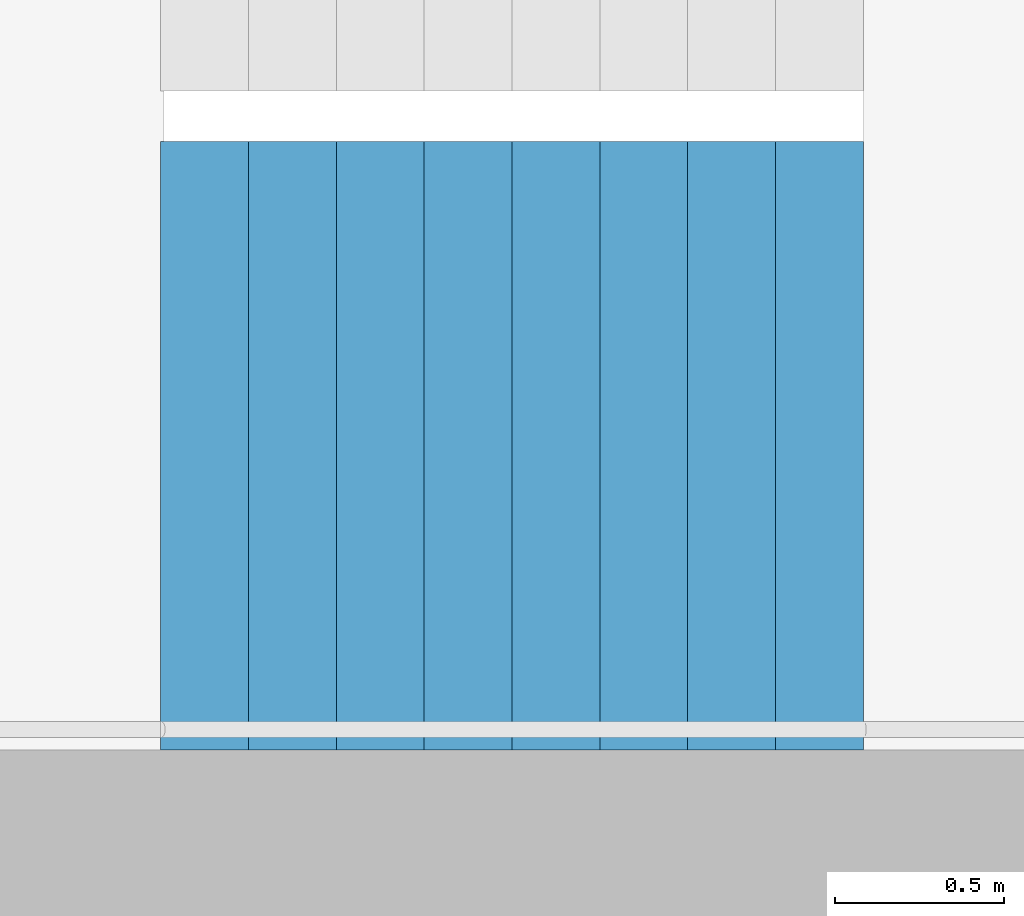
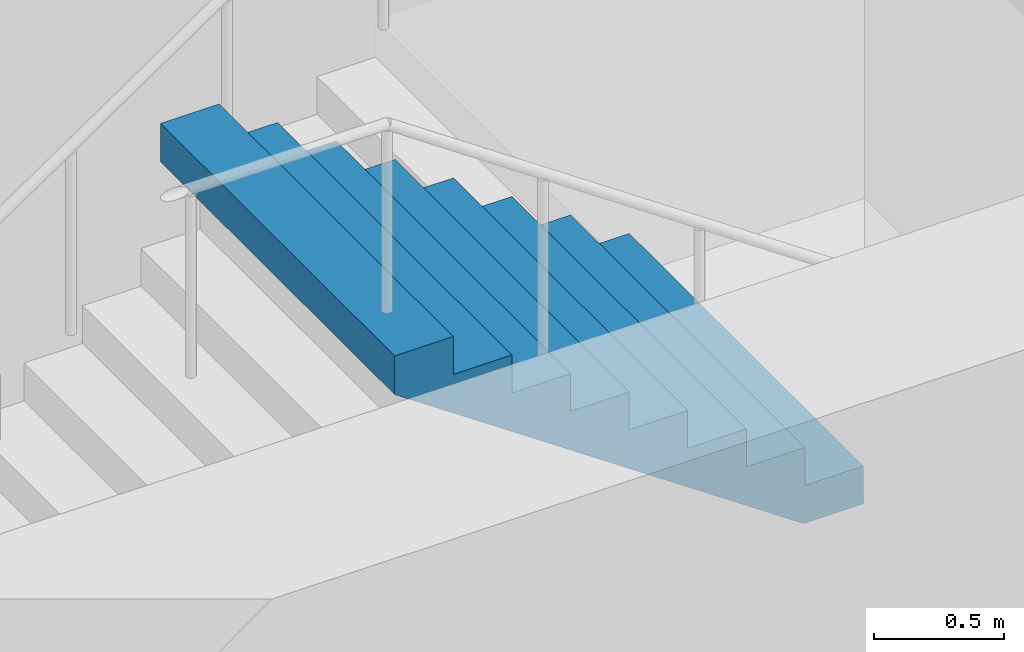
# One storey, part 25 of 29: 1 stair flight, 1 element without a shape of its own.
"""IFC4 building model written with IfcOpenShell, lengths in metres."""

from ifc_helpers import new_model, si_unit, direction, frame, origin, place, context, subcontext, project, spatial, triangles, material, type_object, element, aggregate, save


model = new_model("IFC4")

# Units and contexts
model_context = context("Model", 3, precision=1e-05, world=origin(), true_north=direction((0.0, 1.0)))
body_context = subcontext(model_context, "Body", "Model", "MODEL_VIEW")
ifc_project = project(units=[si_unit("LENGTHUNIT", "METRE"), si_unit("AREAUNIT", "SQUARE_METRE"), si_unit("VOLUMEUNIT", "CUBIC_METRE"), si_unit("PLANEANGLEUNIT", "RADIAN"), si_unit("MASSUNIT", "GRAM", prefix="KILO")], contexts=[model_context])

# Site, building, storey
site_placement = place(None, origin())
site = spatial("IfcSite", under=ifc_project, at=site_placement, CompositionType="ELEMENT")
building_placement = place(site_placement, origin())
building = spatial("IfcBuilding", under=site, at=building_placement, Name="Hakoniwa Tower and Hamabe Station Hall", CompositionType="ELEMENT")
storey_placement = place(building_placement, frame((0.0, 0.0, 75.39990234375)))
storey = spatial("IfcBuildingStorey", under=building, at=storey_placement, Name="L20", CompositionType="ELEMENT", Elevation=75.39990234375)

# Stair, stair flight
ifc_material_1 = material(Name="Concrete C40", Category="concrete")
stair_type = type_object("IfcStairType", Name="ESCAPE STAIR 1800", PredefinedType="HALF_TURN_STAIR", material=ifc_material_1)
stair_placement = place(storey_placement, origin())
stair = element("IfcStair", 1, at=stair_placement, inside=storey, type_object=stair_type, Name="Escape stair ST-4 L20", PredefinedType="HALF_TURN_STAIR")
ifc_material_2 = material(Name="Concrete C40", Category="concrete")
stair_flight_type = type_object("IfcStairFlightType", Name="STAIR FLIGHT 1800", PredefinedType="STRAIGHT", material=ifc_material_2)
stair_flight_placement = place(storey_placement, frame((25.47998046875, -6.60009765625, 1.60009765625), z_axis=(0.0, 0.0, 1.0), x_axis=(-1.0, 0.0, 0.0)))
stair_flight = element("IfcStairFlight", 2, at=stair_flight_placement, type_object=stair_flight_type, Name="ST-4 flight 2", NumberOfRisers=9, NumberOfTreads=8, PredefinedType="STRAIGHT", RiserHeight=0.177777778, TreadLength=0.26, context=body_context, shape_type="Tessellation", body=[
    triangles([(0.0, 0.89990234375, 0.0), (0.260009765625, 0.89990234375, 0.0), (0.265625, 0.89990234375, 0.0), (0.52001953125, 0.89990234375, 0.174072265625), (0.780029296875, 0.89990234375, 0.351806640625), (1.0400390625, 0.89990234375, 0.529541015625), (1.300048828125, 0.89990234375, 0.707275390625), (1.56005859375, 0.89990234375, 0.885009765625), (1.820068359375, 0.89990234375, 1.062744140625), (2.080078125, 0.89990234375, 1.24072265625), (2.080078125, 0.89990234375, 1.422119140625), (1.820068359375, 0.89990234375, 1.422119140625), (1.820068359375, 0.89990234375, 1.244384765625), (1.56005859375, 0.89990234375, 1.244384765625), (1.56005859375, 0.89990234375, 1.066650390625), (1.300048828125, 0.89990234375, 1.066650390625), (1.300048828125, 0.89990234375, 0.888916015625), (1.0400390625, 0.89990234375, 0.888916015625), (1.0400390625, 0.89990234375, 0.711181640625), (0.780029296875, 0.89990234375, 0.711181640625), (0.780029296875, 0.89990234375, 0.533447265625), (0.52001953125, 0.89990234375, 0.533447265625), (0.52001953125, 0.89990234375, 0.35546875), (0.265625, 0.89990234375, 0.35546875), (0.260009765625, 0.89990234375, 0.35546875), (0.260009765625, 0.89990234375, 0.177734375), (0.0, 0.89990234375, 0.177734375), (0.0, 0.06005859375, 0.0), (0.260009765625, 0.06005859375, 0.0), (0.265625, 0.06005859375, 0.0), (0.52001953125, 0.06005859375, 0.174072265625), (0.780029296875, 0.06005859375, 0.351806640625), (1.0400390625, 0.06005859375, 0.529541015625), (1.300048828125, 0.06005859375, 0.707275390625), (1.56005859375, 0.06005859375, 0.885009765625), (1.820068359375, 0.06005859375, 1.062744140625), (2.080078125, 0.06005859375, 1.24072265625), (2.080078125, 0.06005859375, 1.422119140625), (1.820068359375, 0.06005859375, 1.422119140625), (1.820068359375, 0.06005859375, 1.244384765625), (1.56005859375, 0.06005859375, 1.244384765625), (1.56005859375, 0.06005859375, 1.066650390625), (1.300048828125, 0.06005859375, 1.066650390625), (1.300048828125, 0.06005859375, 0.888916015625), (1.0400390625, 0.06005859375, 0.888916015625), (1.0400390625, 0.06005859375, 0.711181640625), (0.780029296875, 0.06005859375, 0.711181640625), (0.780029296875, 0.06005859375, 0.533447265625), (0.52001953125, 0.06005859375, 0.533447265625), (0.52001953125, 0.06005859375, 0.35546875), (0.265625, 0.06005859375, 0.35546875), (0.260009765625, 0.06005859375, 0.35546875), (0.260009765625, 0.06005859375, 0.177734375), (0.0, 0.06005859375, 0.177734375), (0.0, 0.04296875, 0.0), (0.260009765625, 0.04296875, 0.0), (0.265625, 0.04296875, 0.0), (0.52001953125, 0.04296875, 0.174072265625), (0.780029296875, 0.04296875, 0.351806640625), (1.0400390625, 0.04296875, 0.529541015625), (1.300048828125, 0.04296875, 0.707275390625), (1.56005859375, 0.04296875, 0.885009765625), (1.820068359375, 0.04296875, 1.062744140625), (2.080078125, 0.04296875, 1.24072265625), (2.080078125, 0.04296875, 1.422119140625), (1.820068359375, 0.04296875, 1.422119140625), (1.820068359375, 0.04296875, 1.244384765625), (1.56005859375, 0.04296875, 1.244384765625), (1.56005859375, 0.04296875, 1.066650390625), (1.300048828125, 0.04296875, 1.066650390625), (1.300048828125, 0.04296875, 0.888916015625), (1.0400390625, 0.04296875, 0.888916015625), (1.0400390625, 0.04296875, 0.711181640625), (0.780029296875, 0.04296875, 0.711181640625), (0.780029296875, 0.04296875, 0.533447265625), (0.52001953125, 0.04296875, 0.533447265625), (0.52001953125, 0.04296875, 0.35546875), (0.265625, 0.04296875, 0.35546875), (0.260009765625, 0.04296875, 0.35546875), (0.260009765625, 0.04296875, 0.177734375), (0.0, 0.04296875, 0.177734375), (0.0, 0.025634765625, 0.0), (0.260009765625, 0.025634765625, 0.0), (0.265625, 0.025634765625, 0.0), (0.52001953125, 0.025634765625, 0.174072265625), (0.780029296875, 0.025634765625, 0.351806640625), (1.0400390625, 0.025634765625, 0.529541015625), (1.300048828125, 0.025634765625, 0.707275390625), (1.56005859375, 0.025634765625, 0.885009765625), (1.820068359375, 0.025634765625, 1.062744140625), (2.080078125, 0.025634765625, 1.24072265625), (2.080078125, 0.025634765625, 1.422119140625), (1.820068359375, 0.025634765625, 1.422119140625), (1.820068359375, 0.025634765625, 1.244384765625), (1.56005859375, 0.025634765625, 1.244384765625), (1.56005859375, 0.025634765625, 1.066650390625), (1.300048828125, 0.025634765625, 1.066650390625), (1.300048828125, 0.025634765625, 0.888916015625), (1.0400390625, 0.025634765625, 0.888916015625), (1.0400390625, 0.025634765625, 0.711181640625), (0.780029296875, 0.025634765625, 0.711181640625), (0.780029296875, 0.025634765625, 0.533447265625), (0.52001953125, 0.025634765625, 0.533447265625), (0.52001953125, 0.025634765625, 0.35546875), (0.265625, 0.025634765625, 0.35546875), (0.260009765625, 0.025634765625, 0.35546875), (0.260009765625, 0.025634765625, 0.177734375), (0.0, 0.025634765625, 0.177734375), (0.0, 0.008544921875, 0.0), (0.260009765625, 0.008544921875, 0.0), (0.265625, 0.008544921875, 0.0), (0.52001953125, 0.008544921875, 0.174072265625), (0.780029296875, 0.008544921875, 0.351806640625), (1.0400390625, 0.008544921875, 0.529541015625), (1.300048828125, 0.008544921875, 0.707275390625), (1.56005859375, 0.008544921875, 0.885009765625), (1.820068359375, 0.008544921875, 1.062744140625), (2.080078125, 0.008544921875, 1.24072265625), (2.080078125, 0.008544921875, 1.422119140625), (1.820068359375, 0.008544921875, 1.422119140625), (1.820068359375, 0.008544921875, 1.244384765625), (1.56005859375, 0.008544921875, 1.244384765625), (1.56005859375, 0.008544921875, 1.066650390625), (1.300048828125, 0.008544921875, 1.066650390625), (1.300048828125, 0.008544921875, 0.888916015625), (1.0400390625, 0.008544921875, 0.888916015625), (1.0400390625, 0.008544921875, 0.711181640625), (0.780029296875, 0.008544921875, 0.711181640625), (0.780029296875, 0.008544921875, 0.533447265625), (0.52001953125, 0.008544921875, 0.533447265625), (0.52001953125, 0.008544921875, 0.35546875), (0.265625, 0.008544921875, 0.35546875), (0.260009765625, 0.008544921875, 0.35546875), (0.260009765625, 0.008544921875, 0.177734375), (0.0, 0.008544921875, 0.177734375), (0.0, -0.008544921875, 0.0), (0.260009765625, -0.008544921875, 0.0), (0.265625, -0.008544921875, 0.0), (0.52001953125, -0.008544921875, 0.174072265625), (0.780029296875, -0.008544921875, 0.351806640625), (1.0400390625, -0.008544921875, 0.529541015625), (1.300048828125, -0.008544921875, 0.707275390625), (1.56005859375, -0.008544921875, 0.885009765625), (1.820068359375, -0.008544921875, 1.062744140625), (2.080078125, -0.008544921875, 1.24072265625), (2.080078125, -0.008544921875, 1.422119140625), (1.820068359375, -0.008544921875, 1.422119140625), (1.820068359375, -0.008544921875, 1.244384765625), (1.56005859375, -0.008544921875, 1.244384765625), (1.56005859375, -0.008544921875, 1.066650390625), (1.300048828125, -0.008544921875, 1.066650390625), (1.300048828125, -0.008544921875, 0.888916015625), (1.0400390625, -0.008544921875, 0.888916015625), (1.0400390625, -0.008544921875, 0.711181640625), (0.780029296875, -0.008544921875, 0.711181640625), (0.780029296875, -0.008544921875, 0.533447265625), (0.52001953125, -0.008544921875, 0.533447265625), (0.52001953125, -0.008544921875, 0.35546875), (0.265625, -0.008544921875, 0.35546875), (0.260009765625, -0.008544921875, 0.35546875), (0.260009765625, -0.008544921875, 0.177734375), (0.0, -0.008544921875, 0.177734375), (0.0, -0.025634765625, 0.0), (0.260009765625, -0.025634765625, 0.0), (0.265625, -0.025634765625, 0.0), (0.52001953125, -0.025634765625, 0.174072265625), (0.780029296875, -0.025634765625, 0.351806640625), (1.0400390625, -0.025634765625, 0.529541015625), (1.300048828125, -0.025634765625, 0.707275390625), (1.56005859375, -0.025634765625, 0.885009765625), (1.820068359375, -0.025634765625, 1.062744140625), (2.080078125, -0.025634765625, 1.24072265625), (2.080078125, -0.025634765625, 1.422119140625), (1.820068359375, -0.025634765625, 1.422119140625), (1.820068359375, -0.025634765625, 1.244384765625), (1.56005859375, -0.025634765625, 1.244384765625), (1.56005859375, -0.025634765625, 1.066650390625), (1.300048828125, -0.025634765625, 1.066650390625), (1.300048828125, -0.025634765625, 0.888916015625), (1.0400390625, -0.025634765625, 0.888916015625), (1.0400390625, -0.025634765625, 0.711181640625), (0.780029296875, -0.025634765625, 0.711181640625), (0.780029296875, -0.025634765625, 0.533447265625), (0.52001953125, -0.025634765625, 0.533447265625), (0.52001953125, -0.025634765625, 0.35546875), (0.265625, -0.025634765625, 0.35546875), (0.260009765625, -0.025634765625, 0.35546875), (0.260009765625, -0.025634765625, 0.177734375), (0.0, -0.025634765625, 0.177734375), (0.0, -0.04296875, 0.0), (0.260009765625, -0.04296875, 0.0), (0.265625, -0.04296875, 0.0), (0.52001953125, -0.04296875, 0.174072265625), (0.780029296875, -0.04296875, 0.351806640625), (1.0400390625, -0.04296875, 0.529541015625), (1.300048828125, -0.04296875, 0.707275390625), (1.56005859375, -0.04296875, 0.885009765625), (1.820068359375, -0.04296875, 1.062744140625), (2.080078125, -0.04296875, 1.24072265625), (2.080078125, -0.04296875, 1.422119140625), (1.820068359375, -0.04296875, 1.422119140625), (1.820068359375, -0.04296875, 1.244384765625), (1.56005859375, -0.04296875, 1.244384765625), (1.56005859375, -0.04296875, 1.066650390625), (1.300048828125, -0.04296875, 1.066650390625), (1.300048828125, -0.04296875, 0.888916015625), (1.0400390625, -0.04296875, 0.888916015625), (1.0400390625, -0.04296875, 0.711181640625), (0.780029296875, -0.04296875, 0.711181640625), (0.780029296875, -0.04296875, 0.533447265625), (0.52001953125, -0.04296875, 0.533447265625), (0.52001953125, -0.04296875, 0.35546875), (0.265625, -0.04296875, 0.35546875), (0.260009765625, -0.04296875, 0.35546875), (0.260009765625, -0.04296875, 0.177734375), (0.0, -0.04296875, 0.177734375), (0.0, -0.06005859375, 0.0), (0.260009765625, -0.06005859375, 0.0), (0.265625, -0.06005859375, 0.0), (0.52001953125, -0.06005859375, 0.174072265625), (0.780029296875, -0.06005859375, 0.351806640625), (1.0400390625, -0.06005859375, 0.529541015625), (1.300048828125, -0.06005859375, 0.707275390625), (1.56005859375, -0.06005859375, 0.885009765625), (1.820068359375, -0.06005859375, 1.062744140625), (2.080078125, -0.06005859375, 1.24072265625), (2.080078125, -0.06005859375, 1.422119140625), (1.820068359375, -0.06005859375, 1.422119140625), (1.820068359375, -0.06005859375, 1.244384765625), (1.56005859375, -0.06005859375, 1.244384765625), (1.56005859375, -0.06005859375, 1.066650390625), (1.300048828125, -0.06005859375, 1.066650390625), (1.300048828125, -0.06005859375, 0.888916015625), (1.0400390625, -0.06005859375, 0.888916015625), (1.0400390625, -0.06005859375, 0.711181640625), (0.780029296875, -0.06005859375, 0.711181640625), (0.780029296875, -0.06005859375, 0.533447265625), (0.52001953125, -0.06005859375, 0.533447265625), (0.52001953125, -0.06005859375, 0.35546875), (0.265625, -0.06005859375, 0.35546875), (0.260009765625, -0.06005859375, 0.35546875), (0.260009765625, -0.06005859375, 0.177734375), (0.0, -0.06005859375, 0.177734375), (0.0, -0.89990234375, 0.0), (0.260009765625, -0.89990234375, 0.0), (0.265625, -0.89990234375, 0.0), (0.52001953125, -0.89990234375, 0.174072265625), (0.780029296875, -0.89990234375, 0.351806640625), (1.0400390625, -0.89990234375, 0.529541015625), (1.300048828125, -0.89990234375, 0.707275390625), (1.56005859375, -0.89990234375, 0.885009765625), (1.820068359375, -0.89990234375, 1.062744140625), (2.080078125, -0.89990234375, 1.24072265625), (2.080078125, -0.89990234375, 1.422119140625), (1.820068359375, -0.89990234375, 1.422119140625), (1.820068359375, -0.89990234375, 1.244384765625), (1.56005859375, -0.89990234375, 1.244384765625), (1.56005859375, -0.89990234375, 1.066650390625), (1.300048828125, -0.89990234375, 1.066650390625), (1.300048828125, -0.89990234375, 0.888916015625), (1.0400390625, -0.89990234375, 0.888916015625), (1.0400390625, -0.89990234375, 0.711181640625), (0.780029296875, -0.89990234375, 0.711181640625), (0.780029296875, -0.89990234375, 0.533447265625), (0.52001953125, -0.89990234375, 0.533447265625), (0.52001953125, -0.89990234375, 0.35546875), (0.265625, -0.89990234375, 0.35546875), (0.260009765625, -0.89990234375, 0.35546875), (0.260009765625, -0.89990234375, 0.177734375), (0.0, -0.89990234375, 0.177734375)], [[2, 27, 26], [245, 269, 270], [2, 1, 27], [245, 270, 244], [3, 25, 24], [246, 267, 268], [3, 26, 25], [246, 268, 269], [3, 2, 26], [246, 269, 245], [4, 24, 23], [247, 266, 267], [4, 3, 24], [247, 267, 246], [5, 22, 21], [248, 264, 265], [5, 23, 22], [248, 265, 266], [5, 4, 23], [248, 266, 247], [6, 20, 19], [249, 262, 263], [6, 21, 20], [249, 263, 264], [6, 5, 21], [249, 264, 248], [7, 18, 17], [250, 260, 261], [7, 19, 18], [250, 261, 262], [7, 6, 19], [250, 262, 249], [8, 16, 15], [251, 258, 259], [8, 17, 16], [251, 259, 260], [8, 7, 17], [251, 260, 250], [9, 14, 13], [252, 256, 257], [9, 15, 14], [252, 257, 258], [9, 8, 15], [252, 258, 251], [10, 12, 11], [253, 254, 255], [10, 13, 12], [253, 255, 256], [10, 9, 13], [253, 256, 252], [1, 2, 29], [1, 29, 28], [28, 29, 56], [28, 56, 55], [55, 56, 83], [55, 83, 82], [82, 83, 110], [82, 110, 109], [109, 110, 137], [109, 137, 136], [136, 137, 164], [136, 164, 163], [163, 164, 191], [163, 191, 190], [190, 191, 218], [190, 218, 217], [217, 218, 245], [217, 245, 244], [2, 3, 30], [2, 30, 29], [29, 30, 57], [29, 57, 56], [56, 57, 84], [56, 84, 83], [83, 84, 111], [83, 111, 110], [110, 111, 138], [110, 138, 137], [137, 138, 165], [137, 165, 164], [164, 165, 192], [164, 192, 191], [191, 192, 219], [191, 219, 218], [218, 219, 246], [218, 246, 245], [3, 4, 31], [3, 31, 30], [30, 31, 58], [30, 58, 57], [57, 58, 85], [57, 85, 84], [84, 85, 112], [84, 112, 111], [111, 112, 139], [111, 139, 138], [138, 139, 166], [138, 166, 165], [165, 166, 193], [165, 193, 192], [192, 193, 220], [192, 220, 219], [219, 220, 247], [219, 247, 246], [4, 5, 32], [4, 32, 31], [31, 32, 59], [31, 59, 58], [58, 59, 86], [58, 86, 85], [85, 86, 113], [85, 113, 112], [112, 113, 140], [112, 140, 139], [139, 140, 167], [139, 167, 166], [166, 167, 194], [166, 194, 193], [193, 194, 221], [193, 221, 220], [220, 221, 248], [220, 248, 247], [5, 6, 33], [5, 33, 32], [32, 33, 60], [32, 60, 59], [59, 60, 87], [59, 87, 86], [86, 87, 114], [86, 114, 113], [113, 114, 141], [113, 141, 140], [140, 141, 168], [140, 168, 167], [167, 168, 195], [167, 195, 194], [194, 195, 222], [194, 222, 221], [221, 222, 249], [221, 249, 248], [6, 7, 34], [6, 34, 33], [33, 34, 61], [33, 61, 60], [60, 61, 88], [60, 88, 87], [87, 88, 115], [87, 115, 114], [114, 115, 142], [114, 142, 141], [141, 142, 169], [141, 169, 168], [168, 169, 196], [168, 196, 195], [195, 196, 223], [195, 223, 222], [222, 223, 250], [222, 250, 249], [7, 8, 35], [7, 35, 34], [34, 35, 62], [34, 62, 61], [61, 62, 89], [61, 89, 88], [88, 89, 116], [88, 116, 115], [115, 116, 143], [115, 143, 142], [142, 143, 170], [142, 170, 169], [169, 170, 197], [169, 197, 196], [196, 197, 224], [196, 224, 223], [223, 224, 251], [223, 251, 250], [8, 9, 36], [8, 36, 35], [35, 36, 63], [35, 63, 62], [62, 63, 90], [62, 90, 89], [89, 90, 117], [89, 117, 116], [116, 117, 144], [116, 144, 143], [143, 144, 171], [143, 171, 170], [170, 171, 198], [170, 198, 197], [197, 198, 225], [197, 225, 224], [224, 225, 252], [224, 252, 251], [9, 10, 37], [9, 37, 36], [36, 37, 64], [36, 64, 63], [63, 64, 91], [63, 91, 90], [90, 91, 118], [90, 118, 117], [117, 118, 145], [117, 145, 144], [144, 145, 172], [144, 172, 171], [171, 172, 199], [171, 199, 198], [198, 199, 226], [198, 226, 225], [225, 226, 253], [225, 253, 252], [10, 11, 38], [10, 38, 37], [37, 38, 65], [37, 65, 64], [64, 65, 92], [64, 92, 91], [91, 92, 119], [91, 119, 118], [118, 119, 146], [118, 146, 145], [145, 146, 173], [145, 173, 172], [172, 173, 200], [172, 200, 199], [199, 200, 227], [199, 227, 226], [226, 227, 254], [226, 254, 253], [11, 12, 39], [11, 39, 38], [38, 39, 66], [38, 66, 65], [65, 66, 93], [65, 93, 92], [92, 93, 120], [92, 120, 119], [119, 120, 147], [119, 147, 146], [146, 147, 174], [146, 174, 173], [173, 174, 201], [173, 201, 200], [200, 201, 228], [200, 228, 227], [227, 228, 255], [227, 255, 254], [12, 13, 40], [12, 40, 39], [39, 40, 67], [39, 67, 66], [66, 67, 94], [66, 94, 93], [93, 94, 121], [93, 121, 120], [120, 121, 148], [120, 148, 147], [147, 148, 175], [147, 175, 174], [174, 175, 202], [174, 202, 201], [201, 202, 229], [201, 229, 228], [228, 229, 256], [228, 256, 255], [13, 14, 41], [13, 41, 40], [40, 41, 68], [40, 68, 67], [67, 68, 95], [67, 95, 94], [94, 95, 122], [94, 122, 121], [121, 122, 149], [121, 149, 148], [148, 149, 176], [148, 176, 175], [175, 176, 203], [175, 203, 202], [202, 203, 230], [202, 230, 229], [229, 230, 257], [229, 257, 256], [14, 15, 42], [14, 42, 41], [41, 42, 69], [41, 69, 68], [68, 69, 96], [68, 96, 95], [95, 96, 123], [95, 123, 122], [122, 123, 150], [122, 150, 149], [149, 150, 177], [149, 177, 176], [176, 177, 204], [176, 204, 203], [203, 204, 231], [203, 231, 230], [230, 231, 258], [230, 258, 257], [15, 16, 43], [15, 43, 42], [42, 43, 70], [42, 70, 69], [69, 70, 97], [69, 97, 96], [96, 97, 124], [96, 124, 123], [123, 124, 151], [123, 151, 150], [150, 151, 178], [150, 178, 177], [177, 178, 205], [177, 205, 204], [204, 205, 232], [204, 232, 231], [231, 232, 259], [231, 259, 258], [16, 17, 44], [16, 44, 43], [43, 44, 71], [43, 71, 70], [70, 71, 98], [70, 98, 97], [97, 98, 125], [97, 125, 124], [124, 125, 152], [124, 152, 151], [151, 152, 179], [151, 179, 178], [178, 179, 206], [178, 206, 205], [205, 206, 233], [205, 233, 232], [232, 233, 260], [232, 260, 259], [17, 18, 45], [17, 45, 44], [44, 45, 72], [44, 72, 71], [71, 72, 99], [71, 99, 98], [98, 99, 126], [98, 126, 125], [125, 126, 153], [125, 153, 152], [152, 153, 180], [152, 180, 179], [179, 180, 207], [179, 207, 206], [206, 207, 234], [206, 234, 233], [233, 234, 261], [233, 261, 260], [18, 19, 46], [18, 46, 45], [45, 46, 73], [45, 73, 72], [72, 73, 100], [72, 100, 99], [99, 100, 127], [99, 127, 126], [126, 127, 154], [126, 154, 153], [153, 154, 181], [153, 181, 180], [180, 181, 208], [180, 208, 207], [207, 208, 235], [207, 235, 234], [234, 235, 262], [234, 262, 261], [19, 20, 47], [19, 47, 46], [46, 47, 74], [46, 74, 73], [73, 74, 101], [73, 101, 100], [100, 101, 128], [100, 128, 127], [127, 128, 155], [127, 155, 154], [154, 155, 182], [154, 182, 181], [181, 182, 209], [181, 209, 208], [208, 209, 236], [208, 236, 235], [235, 236, 263], [235, 263, 262], [20, 21, 48], [20, 48, 47], [47, 48, 75], [47, 75, 74], [74, 75, 102], [74, 102, 101], [101, 102, 129], [101, 129, 128], [128, 129, 156], [128, 156, 155], [155, 156, 183], [155, 183, 182], [182, 183, 210], [182, 210, 209], [209, 210, 237], [209, 237, 236], [236, 237, 264], [236, 264, 263], [21, 22, 49], [21, 49, 48], [48, 49, 76], [48, 76, 75], [75, 76, 103], [75, 103, 102], [102, 103, 130], [102, 130, 129], [129, 130, 157], [129, 157, 156], [156, 157, 184], [156, 184, 183], [183, 184, 211], [183, 211, 210], [210, 211, 238], [210, 238, 237], [237, 238, 265], [237, 265, 264], [22, 23, 50], [22, 50, 49], [49, 50, 77], [49, 77, 76], [76, 77, 104], [76, 104, 103], [103, 104, 131], [103, 131, 130], [130, 131, 158], [130, 158, 157], [157, 158, 185], [157, 185, 184], [184, 185, 212], [184, 212, 211], [211, 212, 239], [211, 239, 238], [238, 239, 266], [238, 266, 265], [23, 24, 51], [23, 51, 50], [50, 51, 78], [50, 78, 77], [77, 78, 105], [77, 105, 104], [104, 105, 132], [104, 132, 131], [131, 132, 159], [131, 159, 158], [158, 159, 186], [158, 186, 185], [185, 186, 213], [185, 213, 212], [212, 213, 240], [212, 240, 239], [239, 240, 267], [239, 267, 266], [24, 25, 52], [24, 52, 51], [51, 52, 79], [51, 79, 78], [78, 79, 106], [78, 106, 105], [105, 106, 133], [105, 133, 132], [132, 133, 160], [132, 160, 159], [159, 160, 187], [159, 187, 186], [186, 187, 214], [186, 214, 213], [213, 214, 241], [213, 241, 240], [240, 241, 268], [240, 268, 267], [25, 26, 53], [25, 53, 52], [52, 53, 80], [52, 80, 79], [79, 80, 107], [79, 107, 106], [106, 107, 134], [106, 134, 133], [133, 134, 161], [133, 161, 160], [160, 161, 188], [160, 188, 187], [187, 188, 215], [187, 215, 214], [214, 215, 242], [214, 242, 241], [241, 242, 269], [241, 269, 268], [26, 27, 54], [26, 54, 53], [53, 54, 81], [53, 81, 80], [80, 81, 108], [80, 108, 107], [107, 108, 135], [107, 135, 134], [134, 135, 162], [134, 162, 161], [161, 162, 189], [161, 189, 188], [188, 189, 216], [188, 216, 215], [215, 216, 243], [215, 243, 242], [242, 243, 270], [242, 270, 269], [27, 1, 28], [27, 28, 54], [54, 28, 55], [54, 55, 81], [81, 55, 82], [81, 82, 108], [108, 82, 109], [108, 109, 135], [135, 109, 136], [135, 136, 162], [162, 136, 163], [162, 163, 189], [189, 163, 190], [189, 190, 216], [216, 190, 217], [216, 217, 243], [243, 217, 244], [243, 244, 270]], closed=True),
])
aggregate(stair, [stair_flight])

save(model, "model.ifc")
